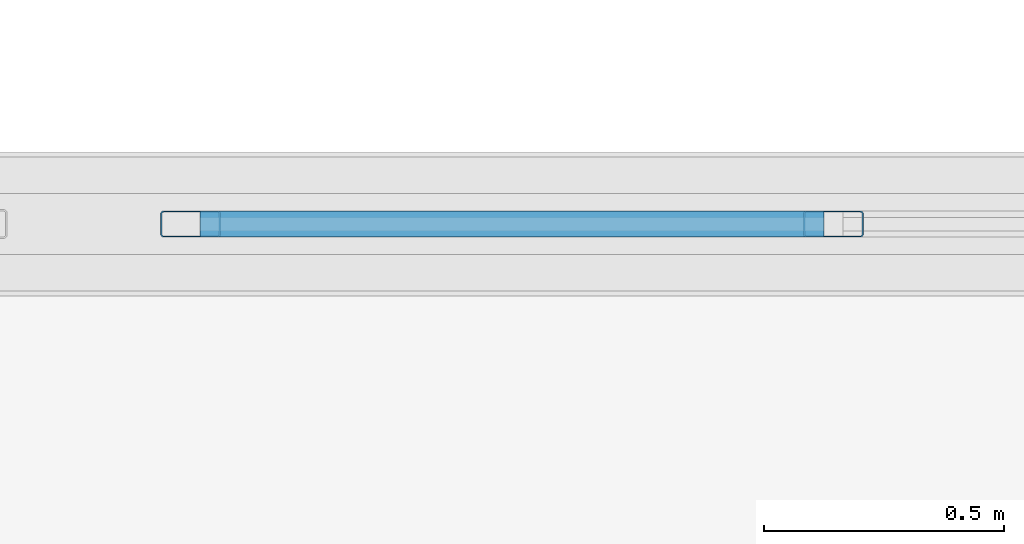
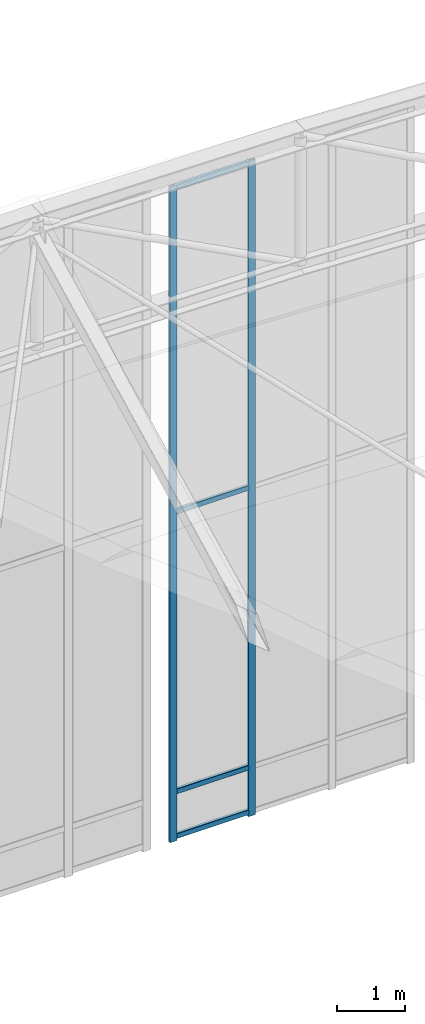
# One storey, part 194 of 262: 6 members, 1 element without a shape of its own.
"""IFC4 building model written with IfcOpenShell, lengths in metres."""

from ifc_helpers import new_model, si_unit, derived_unit, direction, frame, origin, origin_2d, place, context, subcontext, project, spatial, hollow_rectangle, extrude, material, layer, layer_set, material_profile, profile_set, type_object, element, aggregate, save


model = new_model("IFC4")

# Units and contexts
model_context = context("Model", 3, precision=1e-05, world=origin(), true_north=direction((0.0, 1.0)))
body_context = subcontext(model_context, "Body", "Model", "MODEL_VIEW")
ifc_project = project(units=[si_unit("LENGTHUNIT", "METRE"), si_unit("AREAUNIT", "SQUARE_METRE"), si_unit("VOLUMEUNIT", "CUBIC_METRE"), si_unit("PLANEANGLEUNIT", "RADIAN"), si_unit("MASSUNIT", "GRAM", prefix="KILO"), derived_unit("THERMALTRANSMITTANCEUNIT", [(si_unit("POWERUNIT", "WATT"), 1), (si_unit("LENGTHUNIT", "METRE"), -2), (si_unit("THERMODYNAMICTEMPERATUREUNIT", "KELVIN"), -1)])], contexts=[model_context])

# Site, building, storey
site_placement = place(None, origin())
site = spatial("IfcSite", under=ifc_project, at=site_placement, CompositionType="ELEMENT")
building_placement = place(site_placement, origin())
building = spatial("IfcBuilding", under=site, at=building_placement, Name="Almenara Railside Exhibition Hall", CompositionType="ELEMENT")
storey_placement = place(building_placement, frame((0.0, 0.0, 21.699951171875)))
storey = spatial("IfcBuildingStorey", under=building, at=storey_placement, Name="RF", CompositionType="ELEMENT", Elevation=21.699951171875)

# Curtain wall, members
ifc_material_1 = material(Name="Bronze-anodised aluminium and low-E double glazing", Category="aluminium")
ifc_layer = layer(ifc_material_1, 0.179931640625, Name="Bronze-anodised aluminium and low-E double glazing")
ifc_layer_set = layer_set([ifc_layer], Name="Bronze-anodised aluminium and low-E double glazing")
curtain_wall_type = type_object("IfcCurtainWallType", Name="Scroll Gable Tall Curtain Wall 3800x5400", PredefinedType="NOTDEFINED", material=ifc_layer_set)
curtain_wall_placement = place(storey_placement, origin())
curtain_wall = element("IfcCurtainWall", 1, at=curtain_wall_placement, inside=storey, type_object=curtain_wall_type, Name="Curtain wall CW-G1-211", PredefinedType="NOTDEFINED")
ifc_material_2 = material(Name="Bronze-anodised aluminium", Category="aluminium")
ifc_material_profile_1 = material_profile(ifc_material_2, hollow_rectangle(XDim=0.054931640625, YDim=0.125, WallThickness=0.0029296875, InnerFilletRadius=0.0029296875, OuterFilletRadius=0.006103515625, at=origin_2d()), Name="ALU-MUL 55x125x3")
ifc_profile_set_1 = profile_set([ifc_material_profile_1], Name="Bronze-anodised aluminium")
member_type_1 = type_object("IfcMemberType", Name="Curtain Wall Mullion 55x125x3", PredefinedType="MULLION", material=ifc_profile_set_1)
member_1_placement = place(storey_placement, frame((41.327392578125, 132.0, -0.93505859375), z_axis=(0.0, 0.0, 1.0), x_axis=(0.0, 1.0, 0.0)))
member_1 = element("IfcMember", 2, at=member_1_placement, type_object=member_type_1, Name="CW-G1-211 mullion 1", PredefinedType="MULLION", context=body_context, shape_type="SweptSolid", body=[
    extrude(hollow_rectangle(XDim=0.054931640625, YDim=0.125, WallThickness=0.0029296875, InnerFilletRadius=0.0029296875, OuterFilletRadius=0.006103515625, at=origin_2d()), origin(), (0.0, 0.0, 1.0), 11.8251953125),
])
member_2_placement = place(storey_placement, frame((42.666748046875, 132.0, -0.93505859375), z_axis=(0.0, 0.0, 1.0), x_axis=(0.0, 1.0, 0.0)))
member_2 = element("IfcMember", 3, at=member_2_placement, type_object=member_type_1, Name="CW-G1-211 mullion 2", PredefinedType="MULLION", context=body_context, shape_type="SweptSolid", body=[
    extrude(hollow_rectangle(XDim=0.054931640625, YDim=0.125, WallThickness=0.0029296875, InnerFilletRadius=0.0029296875, OuterFilletRadius=0.006103515625, at=origin_2d()), origin(), (0.0, 0.0, 1.0), 11.8251953125),
])
ifc_material_profile_2 = material_profile(ifc_material_2, hollow_rectangle(XDim=0.054931640625, YDim=0.090087890625, WallThickness=0.0029296875, InnerFilletRadius=0.0029296875, OuterFilletRadius=0.006103515625, at=origin_2d()), Name="ALU-TRN 55x90x3")
ifc_profile_set_2 = profile_set([ifc_material_profile_2], Name="Bronze-anodised aluminium")
member_type_2 = type_object("IfcMemberType", Name="Curtain Wall Transom 55x90x3", PredefinedType="USERDEFINED", material=ifc_profile_set_2)
member_3_placement = place(storey_placement, frame((41.346923828125, 132.0, -0.85498046875), z_axis=(1.0, 0.0, 0.0), x_axis=(0.0, 1.0, 0.0)))
member_3 = element("IfcMember", 4, at=member_3_placement, type_object=member_type_2, Name="CW-G1-211 transom 1.1", ObjectType="TRANSOM", PredefinedType="USERDEFINED", context=body_context, shape_type="SweptSolid", body=[
    extrude(hollow_rectangle(XDim=0.054931640625, YDim=0.090087890625, WallThickness=0.0029296875, InnerFilletRadius=0.0029296875, OuterFilletRadius=0.006103515625, at=origin_2d()), origin(), (0.0, 0.0, 1.0), 1.30029296875),
])
member_4_placement = place(storey_placement, frame((41.346923828125, 132.0, -0.050048828125), z_axis=(1.0, 0.0, 0.0), x_axis=(0.0, 1.0, 0.0)))
member_4 = element("IfcMember", 5, at=member_4_placement, type_object=member_type_2, Name="CW-G1-211 transom 1.2", ObjectType="TRANSOM", PredefinedType="USERDEFINED", context=body_context, shape_type="SweptSolid", body=[
    extrude(hollow_rectangle(XDim=0.054931640625, YDim=0.090087890625, WallThickness=0.0029296875, InnerFilletRadius=0.0029296875, OuterFilletRadius=0.006103515625, at=origin_2d()), origin(), (0.0, 0.0, 1.0), 1.30029296875),
])
member_5_placement = place(storey_placement, frame((41.346923828125, 132.0, 4.9951171875), z_axis=(1.0, 0.0, 0.0), x_axis=(0.0, 1.0, 0.0)))
member_5 = element("IfcMember", 6, at=member_5_placement, type_object=member_type_2, Name="CW-G1-211 transom 1.3", ObjectType="TRANSOM", PredefinedType="USERDEFINED", context=body_context, shape_type="SweptSolid", body=[
    extrude(hollow_rectangle(XDim=0.054931640625, YDim=0.090087890625, WallThickness=0.0029296875, InnerFilletRadius=0.0029296875, OuterFilletRadius=0.006103515625, at=origin_2d()), origin(), (0.0, 0.0, 1.0), 1.30029296875),
])
member_6_placement = place(storey_placement, frame((41.346923828125, 132.0, 10.844970703125), z_axis=(1.0, 0.0, 0.0), x_axis=(0.0, 1.0, 0.0)))
member_6 = element("IfcMember", 7, at=member_6_placement, type_object=member_type_2, Name="CW-G1-211 transom 1.4", ObjectType="TRANSOM", PredefinedType="USERDEFINED", context=body_context, shape_type="SweptSolid", body=[
    extrude(hollow_rectangle(XDim=0.054931640625, YDim=0.090087890625, WallThickness=0.0029296875, InnerFilletRadius=0.0029296875, OuterFilletRadius=0.006103515625, at=origin_2d()), origin(), (0.0, 0.0, 1.0), 1.30029296875),
])
aggregate(curtain_wall, [member_1, member_2, member_3, member_4, member_5, member_6])

save(model, "model.ifc")
